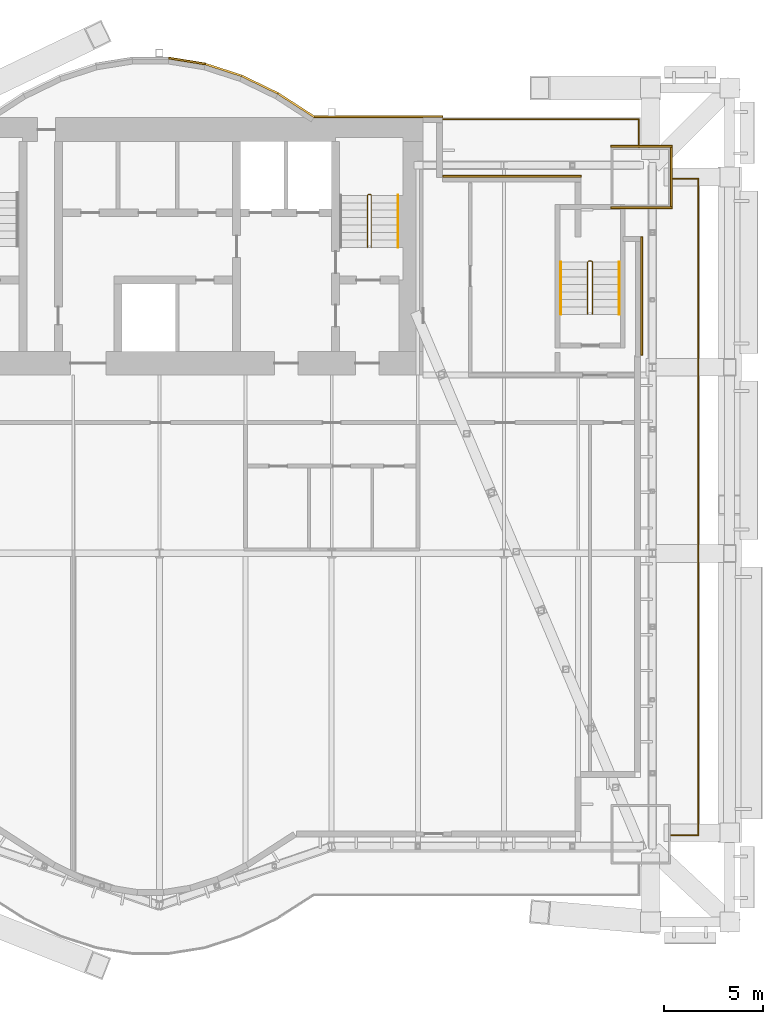
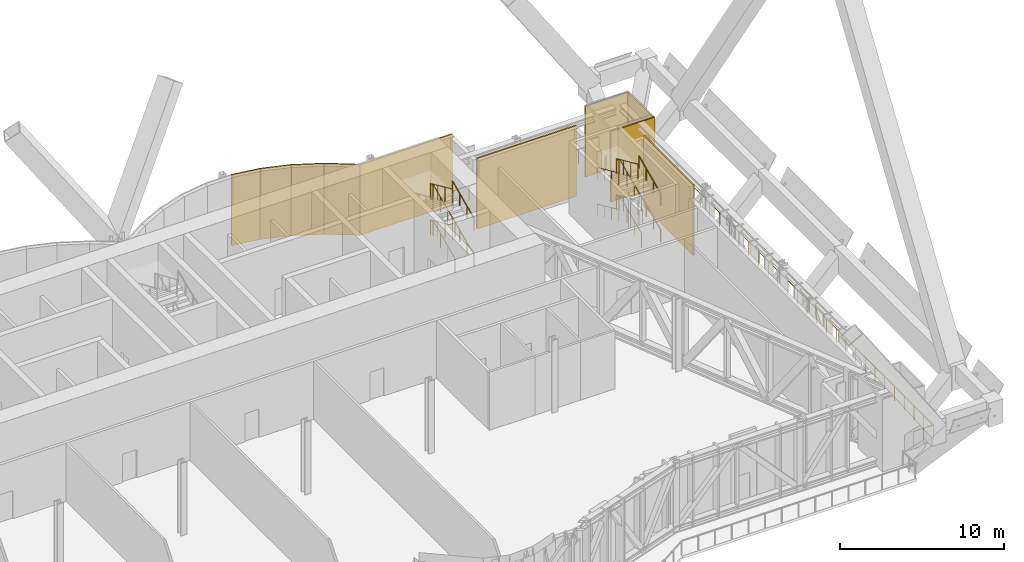
# One storey, part 32 of 32: 12 railings, 10 coverings.
"""IFC4 building model written with IfcOpenShell, lengths in metres."""

from ifc_helpers import new_model, si_unit, direction, frame, origin, origin_2d, place, context, subcontext, project, spatial, rectangle, circle, extrude, material, layer, layer_set, type_object, element, save


model = new_model("IFC4")

# Units and contexts
model_context = context("Model", 3, precision=1e-05, world=origin(), true_north=direction((0.0, 1.0)))
body_context = subcontext(model_context, "Body", "Model", "MODEL_VIEW")
ifc_project = project(units=[si_unit("LENGTHUNIT", "METRE"), si_unit("AREAUNIT", "SQUARE_METRE"), si_unit("VOLUMEUNIT", "CUBIC_METRE"), si_unit("PLANEANGLEUNIT", "RADIAN"), si_unit("MASSUNIT", "GRAM", prefix="KILO")], contexts=[model_context])

# Site, building, storey
site_placement = place(None, origin())
site = spatial("IfcSite", under=ifc_project, at=site_placement, CompositionType="ELEMENT")
building_placement = place(site_placement, origin())
building = spatial("IfcBuilding", under=site, at=building_placement, Name="Bicima Exchange Tower", CompositionType="ELEMENT")
storey_placement = place(building_placement, frame((0.0, 0.0, 84.5)))
storey = spatial("IfcBuildingStorey", under=building, at=storey_placement, Name="L17", CompositionType="ELEMENT", Elevation=84.5)

# Coverings
ifc_material_1 = material(Name="Bronze metal cladding")
ifc_layer_1 = layer(ifc_material_1, 0.004)
ifc_material_2 = material(Name="Ventilated cavity")
ifc_layer_2 = layer(ifc_material_2, 0.06)
ifc_material_3 = material(Name="Galvanised steel rail and mineral wool", Category="steel")
ifc_layer_3 = layer(ifc_material_3, 0.036)
ifc_layer_set = layer_set([ifc_layer_1, ifc_layer_2, ifc_layer_3], Name="Ventilated cavity")
covering_type = type_object("IfcCoveringType", Name="Bronze metal cladding panel 100", PredefinedType="CLADDING", material=ifc_layer_set)
covering_1_placement = place(storey_placement, frame((33.050048828125, -9.0, 0.0), z_axis=(0.0, 0.0, 1.0), x_axis=(0.0, 1.0, 0.0)))
element("IfcCovering", 1, at=covering_1_placement, inside=storey, type_object=covering_type, Name="Bronze cladding L17 2.1", PredefinedType="CLADDING", context=body_context, shape_type="SweptSolid", body=[
    extrude(rectangle(XDim=6.0, YDim=0.10009765625, at=origin_2d()), origin(), (0.0, 0.0, 1.0), 5.25),
])
covering_2_placement = place(storey_placement, frame((26.5, -2.949951171875, 0.0), z_axis=(0.0, 0.0, 1.0), x_axis=(-1.0, 0.0, 0.0)))
element("IfcCovering", 2, at=covering_2_placement, inside=storey, type_object=covering_type, Name="Bronze cladding L17 5.1", PredefinedType="CLADDING", context=body_context, shape_type="SweptSolid", body=[
    extrude(rectangle(XDim=7.0, YDim=0.10009765625, at=origin_2d()), origin(), (0.0, 0.0, 1.0), 5.25),
])
covering_3_placement = place(storey_placement, frame((19.75, 0.050048828125, 0.0), z_axis=(0.0, 0.0, 1.0), x_axis=(-1.0, 0.0, 0.0)))
element("IfcCovering", 3, at=covering_3_placement, inside=storey, type_object=covering_type, Name="Bronze cladding L17 7.1", PredefinedType="CLADDING", context=body_context, shape_type="SweptSolid", body=[
    extrude(rectangle(XDim=6.5, YDim=0.10009765625, at=origin_2d()), origin(), (0.0, 0.0, 1.0), 5.25),
])
covering_4_placement = place(storey_placement, frame((15.610595703125, 0.634521484375, 0.0), z_axis=(0.0, 0.0, 1.0), x_axis=(-0.839790466384, 0.542910648791, 0.0)))
element("IfcCovering", 4, at=covering_4_placement, inside=storey, type_object=covering_type, Name="Bronze cladding L17 8.1", PredefinedType="CLADDING", context=body_context, shape_type="SweptSolid", body=[
    extrude(rectangle(XDim=2.18310546875, YDim=0.10009765625, at=origin_2d()), origin(), (0.0, 0.0, 1.0), 5.25),
])
covering_5_placement = place(storey_placement, frame((13.771728515625, 1.674560546875, 0.0), z_axis=(0.0, 0.0, 1.0), x_axis=(-0.899818346812, 0.436264762204, 0.0)))
element("IfcCovering", 5, at=covering_5_placement, inside=storey, type_object=covering_type, Name="Bronze cladding L17 9.1", PredefinedType="CLADDING", context=body_context, shape_type="SweptSolid", body=[
    extrude(rectangle(XDim=2.03759765625, YDim=0.10009765625, at=origin_2d()), origin(), (0.0, 0.0, 1.0), 5.25),
])
covering_6_placement = place(storey_placement, frame((11.931884765625, 2.41796875, 0.0), z_axis=(0.0, 0.0, 1.0), x_axis=(-0.951524642381, 0.307572519808, 0.0)))
element("IfcCovering", 6, at=covering_6_placement, inside=storey, type_object=covering_type, Name="Bronze cladding L17 10.1", PredefinedType="CLADDING", context=body_context, shape_type="SweptSolid", body=[
    extrude(rectangle(XDim=1.9267578125, YDim=0.10009765625, at=origin_2d()), origin(), (0.0, 0.0, 1.0), 5.25),
])
covering_7_placement = place(storey_placement, frame((10.09130859375, 2.8642578125, 0.0), z_axis=(0.0, 0.0, 1.0), x_axis=(-0.987189786347, 0.159550386184, 0.0)))
element("IfcCovering", 7, at=covering_7_placement, inside=storey, type_object=covering_type, Name="Bronze cladding L17 11.1", PredefinedType="CLADDING", context=body_context, shape_type="SweptSolid", body=[
    extrude(rectangle(XDim=1.857177734375, YDim=0.10009765625, at=origin_2d()), origin(), (0.0, 0.0, 1.0), 5.25),
])
for number, where, z_axis, x_axis, name in (
    (8, (33.050048828125, -1.449951171875, 0.0), (0.0, 0.0, 1.0), (1.0, 0.0, 0.0), "Column cladding L17 2N"),
    (9, (33.050048828125, -4.550048828125, 0.0), (0.0, 0.0, 1.0), (1.0, 0.0, 0.0), "Column cladding L17 2S"),
):
    element("IfcCovering", number, at=place(storey_placement, frame(where, z_axis=z_axis, x_axis=x_axis)), inside=storey, type_object=covering_type, Name=name, PredefinedType="CLADDING", context=body_context, shape_type="SweptSolid", body=[
        extrude(rectangle(XDim=3.10009765625, YDim=0.10009765625, at=origin_2d()), origin(), (0.0, 0.0, 1.0), 5.25),
    ])
covering_8_placement = place(storey_placement, frame((34.550048828125, -3.0, 0.0), z_axis=(0.0, 0.0, 1.0), x_axis=(1.0, 0.0, 0.0)))
element("IfcCovering", 10, at=covering_8_placement, inside=storey, type_object=covering_type, Name="Column cladding L17 2O", PredefinedType="CLADDING", context=body_context, shape_type="SweptSolid", body=[
    extrude(rectangle(XDim=0.10009765625, YDim=3.0, at=origin_2d()), origin(), (0.0, 0.0, 1.0), 5.25),
])

# Railings
ifc_material_4 = material(Name="Stainless steel", Category="steel")
railing_type_1 = type_object("IfcRailingType", Name="Stair guard 1100", PredefinedType="GUARDRAIL", material=ifc_material_4)
railing_1_placement = place(storey_placement, frame((19.39990234375, -6.550048828125, 0.168701171875)))
element("IfcRailing", 11, at=railing_1_placement, inside=storey, type_object=railing_type_1, Name="L17 ST-E stair guard 1", PredefinedType="GUARDRAIL", context=body_context, shape_type="SweptSolid", body=[
    extrude(circle(Radius=0.02392578125, at=origin_2d()), frame((0.0, 0.0, 1.076171875), z_axis=(0.0, 0.912201722539, 0.409741403079), x_axis=(-1.0, 0.0, 0.0)), (0.0, 0.0, 1.0), 2.88330078125),
    extrude(circle(Radius=0.02392578125, at=origin_2d()), frame((0.0, 2.630126953125, 2.25732421875), z_axis=(-0.707106781187, 0.707106781187, 0.0), x_axis=(-0.707106781187, -0.707106781187, 0.0)), (0.0, 0.0, 1.0), 0.0703125),
    extrude(circle(Radius=0.02392578125, at=origin_2d()), frame((-0.0498046875, 2.679931640625, 2.25732421875), z_axis=(-1.0, 0.0, 0.0), x_axis=(0.0, -1.0, 0.0)), (0.0, 0.0, 1.0), 0.10009765625),
    extrude(circle(Radius=0.02392578125, at=origin_2d()), frame((-0.14990234375, 2.679931640625, 2.25732421875), z_axis=(-0.273668752699, -0.272333783174, 0.922463942026), x_axis=(0.705375805398, -0.708833529934, 0.0)), (0.0, 0.0, 1.0), 0.182861328125),
    extrude(circle(Radius=0.02392578125, at=origin_2d()), frame((-0.199951171875, 2.630126953125, 2.42626953125), z_axis=(0.0, -0.912233369549, 0.409670940488), x_axis=(1.0, 0.0, 0.0)), (0.0, 0.0, 1.0), 2.883056640625),
    extrude(circle(Radius=0.02099609375, at=origin_2d()), origin(), (0.0, 0.0, 1.0), 1.052001953125),
    extrude(circle(Radius=0.02099609375, at=origin_2d()), frame((0.0, 0.876708984375, 0.393798828125)), (0.0, 0.0, 1.0), 1.052001953125),
    extrude(circle(Radius=0.02099609375, at=origin_2d()), frame((0.0, 1.75341796875, 0.78759765625)), (0.0, 0.0, 1.0), 1.052001953125),
    extrude(circle(Radius=0.02099609375, at=origin_2d()), frame((0.0, 2.630126953125, 1.181396484375)), (0.0, 0.0, 1.0), 1.052001953125),
    extrude(circle(Radius=0.02099609375, at=origin_2d()), frame((-0.0498046875, 2.679931640625, 1.181396484375)), (0.0, 0.0, 1.0), 1.052001953125),
    extrude(circle(Radius=0.02099609375, at=origin_2d()), frame((-0.14990234375, 2.679931640625, 1.181396484375)), (0.0, 0.0, 1.0), 1.052001953125),
    extrude(circle(Radius=0.02099609375, at=origin_2d()), frame((-0.199951171875, 2.630126953125, 1.35009765625)), (0.0, 0.0, 1.0), 1.052001953125),
    extrude(circle(Radius=0.02099609375, at=origin_2d()), frame((-0.199951171875, 1.75341796875, 1.743896484375)), (0.0, 0.0, 1.0), 1.052001953125),
    extrude(circle(Radius=0.02099609375, at=origin_2d()), frame((-0.199951171875, 0.876708984375, 2.137451171875)), (0.0, 0.0, 1.0), 1.052001953125),
    extrude(circle(Radius=0.02099609375, at=origin_2d()), frame((-0.199951171875, 0.0, 2.53125)), (0.0, 0.0, 1.0), 1.052001953125),
])
railing_2_placement = place(storey_placement, frame((19.39990234375, -6.550048828125, 2.86865234375)))
element("IfcRailing", 12, at=railing_2_placement, inside=storey, type_object=railing_type_1, Name="L17 ST-E stair guard 2", PredefinedType="GUARDRAIL", context=body_context, shape_type="SweptSolid", body=[
    extrude(circle(Radius=0.02392578125, at=origin_2d()), frame((0.0, 0.0, 1.076171875), z_axis=(0.0, 0.912201722539, 0.409741403079), x_axis=(-1.0, 0.0, 0.0)), (0.0, 0.0, 1.0), 2.88330078125),
    extrude(circle(Radius=0.02392578125, at=origin_2d()), frame((0.0, 2.630126953125, 2.25732421875), z_axis=(-0.707106781187, 0.707106781187, 0.0), x_axis=(-0.707106781187, -0.707106781187, 0.0)), (0.0, 0.0, 1.0), 0.0703125),
    extrude(circle(Radius=0.02392578125, at=origin_2d()), frame((-0.0498046875, 2.679931640625, 2.25732421875), z_axis=(-1.0, 0.0, 0.0), x_axis=(0.0, -1.0, 0.0)), (0.0, 0.0, 1.0), 0.10009765625),
    extrude(circle(Radius=0.02392578125, at=origin_2d()), frame((-0.14990234375, 2.679931640625, 2.25732421875), z_axis=(-0.273668752699, -0.272333783174, 0.922463942026), x_axis=(0.705375805398, -0.708833529934, 0.0)), (0.0, 0.0, 1.0), 0.182861328125),
    extrude(circle(Radius=0.02392578125, at=origin_2d()), frame((-0.199951171875, 2.630126953125, 2.42626953125), z_axis=(0.0, -0.912233369549, 0.409670940488), x_axis=(1.0, 0.0, 0.0)), (0.0, 0.0, 1.0), 2.883056640625),
    extrude(circle(Radius=0.02099609375, at=origin_2d()), origin(), (0.0, 0.0, 1.0), 1.052001953125),
    extrude(circle(Radius=0.02099609375, at=origin_2d()), frame((0.0, 0.876708984375, 0.393798828125)), (0.0, 0.0, 1.0), 1.052001953125),
    extrude(circle(Radius=0.02099609375, at=origin_2d()), frame((0.0, 1.75341796875, 0.78759765625)), (0.0, 0.0, 1.0), 1.052001953125),
    extrude(circle(Radius=0.02099609375, at=origin_2d()), frame((0.0, 2.630126953125, 1.181396484375)), (0.0, 0.0, 1.0), 1.052001953125),
    extrude(circle(Radius=0.02099609375, at=origin_2d()), frame((-0.0498046875, 2.679931640625, 1.181396484375)), (0.0, 0.0, 1.0), 1.052001953125),
    extrude(circle(Radius=0.02099609375, at=origin_2d()), frame((-0.14990234375, 2.679931640625, 1.181396484375)), (0.0, 0.0, 1.0), 1.052001953125),
    extrude(circle(Radius=0.02099609375, at=origin_2d()), frame((-0.199951171875, 2.630126953125, 1.35009765625)), (0.0, 0.0, 1.0), 1.052001953125),
    extrude(circle(Radius=0.02099609375, at=origin_2d()), frame((-0.199951171875, 1.75341796875, 1.743896484375)), (0.0, 0.0, 1.0), 1.052001953125),
    extrude(circle(Radius=0.02099609375, at=origin_2d()), frame((-0.199951171875, 0.876708984375, 2.137451171875)), (0.0, 0.0, 1.0), 1.052001953125),
    extrude(circle(Radius=0.02099609375, at=origin_2d()), frame((-0.199951171875, 0.0, 2.53125)), (0.0, 0.0, 1.0), 1.052001953125),
])
railing_3_placement = place(storey_placement, frame((30.574951171875, -9.925048828125, 0.168701171875)))
element("IfcRailing", 13, at=railing_3_placement, inside=storey, type_object=railing_type_1, Name="L17 ST-EE stair guard 1", PredefinedType="GUARDRAIL", context=body_context, shape_type="SweptSolid", body=[
    extrude(circle(Radius=0.02392578125, at=origin_2d()), frame((0.0, 0.0, 1.076171875), z_axis=(0.0, 0.912201722539, 0.409741403079), x_axis=(-1.0, 0.0, 0.0)), (0.0, 0.0, 1.0), 2.88330078125),
    extrude(circle(Radius=0.02392578125, at=origin_2d()), frame((0.0, 2.630126953125, 2.25732421875), z_axis=(-0.708833529934, 0.705375805398, 0.0), x_axis=(-0.705375805398, -0.708833529934, 0.0)), (0.0, 0.0, 1.0), 0.070556640625),
    extrude(circle(Radius=0.02392578125, at=origin_2d()), frame((-0.050048828125, 2.679931640625, 2.25732421875), z_axis=(-1.0, 0.0, 0.0), x_axis=(0.0, -1.0, 0.0)), (0.0, 0.0, 1.0), 0.14990234375),
    extrude(circle(Radius=0.02392578125, at=origin_2d()), frame((-0.199951171875, 2.679931640625, 2.25732421875), z_axis=(-0.273668752699, -0.272333783174, 0.922463942026), x_axis=(0.705375805398, -0.708833529934, 0.0)), (0.0, 0.0, 1.0), 0.182861328125),
    extrude(circle(Radius=0.02392578125, at=origin_2d()), frame((-0.25, 2.630126953125, 2.42626953125), z_axis=(0.0, -0.912233369549, 0.409670940488), x_axis=(1.0, 0.0, 0.0)), (0.0, 0.0, 1.0), 2.883056640625),
    extrude(circle(Radius=0.02099609375, at=origin_2d()), origin(), (0.0, 0.0, 1.0), 1.052001953125),
    extrude(circle(Radius=0.02099609375, at=origin_2d()), frame((0.0, 0.876708984375, 0.393798828125)), (0.0, 0.0, 1.0), 1.052001953125),
    extrude(circle(Radius=0.02099609375, at=origin_2d()), frame((0.0, 1.75341796875, 0.78759765625)), (0.0, 0.0, 1.0), 1.052001953125),
    extrude(circle(Radius=0.02099609375, at=origin_2d()), frame((0.0, 2.630126953125, 1.181396484375)), (0.0, 0.0, 1.0), 1.052001953125),
    extrude(circle(Radius=0.02099609375, at=origin_2d()), frame((-0.050048828125, 2.679931640625, 1.181396484375)), (0.0, 0.0, 1.0), 1.052001953125),
    extrude(circle(Radius=0.02099609375, at=origin_2d()), frame((-0.199951171875, 2.679931640625, 1.181396484375)), (0.0, 0.0, 1.0), 1.052001953125),
    extrude(circle(Radius=0.02099609375, at=origin_2d()), frame((-0.25, 2.630126953125, 1.35009765625)), (0.0, 0.0, 1.0), 1.052001953125),
    extrude(circle(Radius=0.02099609375, at=origin_2d()), frame((-0.25, 1.75341796875, 1.743896484375)), (0.0, 0.0, 1.0), 1.052001953125),
    extrude(circle(Radius=0.02099609375, at=origin_2d()), frame((-0.25, 0.876708984375, 2.137451171875)), (0.0, 0.0, 1.0), 1.052001953125),
    extrude(circle(Radius=0.02099609375, at=origin_2d()), frame((-0.25, 0.0, 2.53125)), (0.0, 0.0, 1.0), 1.052001953125),
])
railing_4_placement = place(storey_placement, frame((30.574951171875, -9.925048828125, 2.86865234375)))
element("IfcRailing", 14, at=railing_4_placement, inside=storey, type_object=railing_type_1, Name="L17 ST-EE stair guard 2", PredefinedType="GUARDRAIL", context=body_context, shape_type="SweptSolid", body=[
    extrude(circle(Radius=0.02392578125, at=origin_2d()), frame((0.0, 0.0, 1.076171875), z_axis=(0.0, 0.912201722539, 0.409741403079), x_axis=(-1.0, 0.0, 0.0)), (0.0, 0.0, 1.0), 2.88330078125),
    extrude(circle(Radius=0.02392578125, at=origin_2d()), frame((0.0, 2.630126953125, 2.25732421875), z_axis=(-0.708833529934, 0.705375805398, 0.0), x_axis=(-0.705375805398, -0.708833529934, 0.0)), (0.0, 0.0, 1.0), 0.070556640625),
    extrude(circle(Radius=0.02392578125, at=origin_2d()), frame((-0.050048828125, 2.679931640625, 2.25732421875), z_axis=(-1.0, 0.0, 0.0), x_axis=(0.0, -1.0, 0.0)), (0.0, 0.0, 1.0), 0.14990234375),
    extrude(circle(Radius=0.02392578125, at=origin_2d()), frame((-0.199951171875, 2.679931640625, 2.25732421875), z_axis=(-0.273668752699, -0.272333783174, 0.922463942026), x_axis=(0.705375805398, -0.708833529934, 0.0)), (0.0, 0.0, 1.0), 0.182861328125),
    extrude(circle(Radius=0.02392578125, at=origin_2d()), frame((-0.25, 2.630126953125, 2.42626953125), z_axis=(0.0, -0.912233369549, 0.409670940488), x_axis=(1.0, 0.0, 0.0)), (0.0, 0.0, 1.0), 2.883056640625),
    extrude(circle(Radius=0.02099609375, at=origin_2d()), origin(), (0.0, 0.0, 1.0), 1.052001953125),
    extrude(circle(Radius=0.02099609375, at=origin_2d()), frame((0.0, 0.876708984375, 0.393798828125)), (0.0, 0.0, 1.0), 1.052001953125),
    extrude(circle(Radius=0.02099609375, at=origin_2d()), frame((0.0, 1.75341796875, 0.78759765625)), (0.0, 0.0, 1.0), 1.052001953125),
    extrude(circle(Radius=0.02099609375, at=origin_2d()), frame((0.0, 2.630126953125, 1.181396484375)), (0.0, 0.0, 1.0), 1.052001953125),
    extrude(circle(Radius=0.02099609375, at=origin_2d()), frame((-0.050048828125, 2.679931640625, 1.181396484375)), (0.0, 0.0, 1.0), 1.052001953125),
    extrude(circle(Radius=0.02099609375, at=origin_2d()), frame((-0.199951171875, 2.679931640625, 1.181396484375)), (0.0, 0.0, 1.0), 1.052001953125),
    extrude(circle(Radius=0.02099609375, at=origin_2d()), frame((-0.25, 2.630126953125, 1.35009765625)), (0.0, 0.0, 1.0), 1.052001953125),
    extrude(circle(Radius=0.02099609375, at=origin_2d()), frame((-0.25, 1.75341796875, 1.743896484375)), (0.0, 0.0, 1.0), 1.052001953125),
    extrude(circle(Radius=0.02099609375, at=origin_2d()), frame((-0.25, 0.876708984375, 2.137451171875)), (0.0, 0.0, 1.0), 1.052001953125),
    extrude(circle(Radius=0.02099609375, at=origin_2d()), frame((-0.25, 0.0, 2.53125)), (0.0, 0.0, 1.0), 1.052001953125),
])
railing_type_2 = type_object("IfcRailingType", Name="Stair handrail 900", PredefinedType="HANDRAIL", material=ifc_material_4)
for number, where, name in (
    (15, (20.75, -6.550048828125, 0.168701171875), "L17 ST-E stair handrail 1"),
    (16, (20.75, -6.550048828125, 2.86865234375), "L17 ST-E stair handrail 3"),
    (17, (31.925048828125, -9.925048828125, 0.168701171875), "L17 ST-EE stair handrail 1"),
):
    element("IfcRailing", number, at=place(storey_placement, frame(where)), inside=storey, type_object=railing_type_2, Name=name, PredefinedType="HANDRAIL", context=body_context, shape_type="SweptSolid", body=[
        extrude(circle(Radius=0.02392578125, at=origin_2d()), frame((0.0, 0.0, 0.8759765625), z_axis=(0.0, 0.912201722539, 0.409741403079), x_axis=(-1.0, 0.0, 0.0)), (0.0, 0.0, 1.0), 2.88330078125),
        extrude(circle(Radius=0.02099609375, at=origin_2d()), origin(), (0.0, 0.0, 1.0), 0.851806640625),
        extrude(circle(Radius=0.02099609375, at=origin_2d()), frame((0.0, 0.876708984375, 0.393798828125)), (0.0, 0.0, 1.0), 0.851806640625),
        extrude(circle(Radius=0.02099609375, at=origin_2d()), frame((0.0, 1.75341796875, 0.78759765625)), (0.0, 0.0, 1.0), 0.851806640625),
        extrude(circle(Radius=0.02099609375, at=origin_2d()), frame((0.0, 2.630126953125, 1.181396484375)), (0.0, 0.0, 1.0), 0.851806640625),
    ])
railing_5_placement = place(storey_placement, frame((28.97509765625, -7.294921875, 1.518798828125)))
element("IfcRailing", 18, at=railing_5_placement, inside=storey, type_object=railing_type_2, Name="L17 ST-EE stair handrail 2", PredefinedType="HANDRAIL", context=body_context, shape_type="SweptSolid", body=[
    extrude(circle(Radius=0.02392578125, at=origin_2d()), frame((0.0, 0.0, 0.8759765625), z_axis=(0.0, -0.912233369549, 0.409670940488), x_axis=(1.0, 0.0, 0.0)), (0.0, 0.0, 1.0), 2.883056640625),
    extrude(circle(Radius=0.02099609375, at=origin_2d()), origin(), (0.0, 0.0, 1.0), 0.851806640625),
    extrude(circle(Radius=0.02099609375, at=origin_2d()), frame((0.0, -0.876708984375, 0.393798828125)), (0.0, 0.0, 1.0), 0.851806640625),
    extrude(circle(Radius=0.02099609375, at=origin_2d()), frame((0.0, -1.75341796875, 0.787353515625)), (0.0, 0.0, 1.0), 0.851806640625),
    extrude(circle(Radius=0.02099609375, at=origin_2d()), frame((0.0, -2.630126953125, 1.18115234375)), (0.0, 0.0, 1.0), 0.851806640625),
])
railing_6_placement = place(storey_placement, frame((31.925048828125, -9.925048828125, 2.86865234375)))
element("IfcRailing", 19, at=railing_6_placement, inside=storey, type_object=railing_type_2, Name="L17 ST-EE stair handrail 3", PredefinedType="HANDRAIL", context=body_context, shape_type="SweptSolid", body=[
    extrude(circle(Radius=0.02392578125, at=origin_2d()), frame((0.0, 0.0, 0.8759765625), z_axis=(0.0, 0.912201722539, 0.409741403079), x_axis=(-1.0, 0.0, 0.0)), (0.0, 0.0, 1.0), 2.88330078125),
    extrude(circle(Radius=0.02099609375, at=origin_2d()), origin(), (0.0, 0.0, 1.0), 0.851806640625),
    extrude(circle(Radius=0.02099609375, at=origin_2d()), frame((0.0, 0.876708984375, 0.393798828125)), (0.0, 0.0, 1.0), 0.851806640625),
    extrude(circle(Radius=0.02099609375, at=origin_2d()), frame((0.0, 1.75341796875, 0.78759765625)), (0.0, 0.0, 1.0), 0.851806640625),
    extrude(circle(Radius=0.02099609375, at=origin_2d()), frame((0.0, 2.630126953125, 1.181396484375)), (0.0, 0.0, 1.0), 0.851806640625),
])
railing_7_placement = place(storey_placement, frame((28.97509765625, -7.294921875, 4.241455078125)))
element("IfcRailing", 20, at=railing_7_placement, inside=storey, type_object=railing_type_2, Name="L17 ST-EE stair handrail 4", PredefinedType="HANDRAIL", context=body_context, shape_type="SweptSolid", body=[
    extrude(circle(Radius=0.02392578125, at=origin_2d()), frame((0.0, 0.0, 0.8759765625), z_axis=(0.0, -0.912201722539, 0.409741403079), x_axis=(1.0, 0.0, 0.0)), (0.0, 0.0, 1.0), 2.88330078125),
    extrude(circle(Radius=0.02099609375, at=origin_2d()), origin(), (0.0, 0.0, 1.0), 0.851806640625),
    extrude(circle(Radius=0.02099609375, at=origin_2d()), frame((0.0, -0.876708984375, 0.393798828125)), (0.0, 0.0, 1.0), 0.851806640625),
    extrude(circle(Radius=0.02099609375, at=origin_2d()), frame((0.0, -1.75341796875, 0.78759765625)), (0.0, 0.0, 1.0), 0.851806640625),
    extrude(circle(Radius=0.02099609375, at=origin_2d()), frame((0.0, -2.630126953125, 1.181396484375)), (0.0, 0.0, 1.0), 0.851806640625),
])
ifc_material_5 = material(Name="Stainless steel and bonded safety glass", Category="steel")
railing_type_3 = type_object("IfcRailingType", Name="Terrace guard 1100", PredefinedType="GUARDRAIL", material=ifc_material_5)
railing_8_placement = place(storey_placement, frame((23.02001953125, -0.080078125, 0.0)))
element("IfcRailing", 21, at=railing_8_placement, inside=storey, type_object=railing_type_3, Name="Terrace guard L17 3", PredefinedType="GUARDRAIL", context=body_context, shape_type="SweptSolid", body=[
    extrude(circle(Radius=0.02392578125, at=origin_2d()), frame((0.0, 0.0, 1.076171875), z_axis=(1.0, 0.0, 0.0), x_axis=(0.0, 1.0, 0.0)), (0.0, 0.0, 1.0), 9.89990234375),
    extrude(circle(Radius=0.02392578125, at=origin_2d()), frame((9.89990234375, 0.0, 1.076171875), z_axis=(0.0, -1.0, 0.0), x_axis=(1.0, 0.0, 0.0)), (0.0, 0.0, 1.0), 1.419921875),
    extrude(circle(Radius=0.02099609375, at=origin_2d()), origin(), (0.0, 0.0, 1.0), 1.052001953125),
    extrude(circle(Radius=0.02099609375, at=origin_2d()), frame((1.10009765625, 0.0, 0.0)), (0.0, 0.0, 1.0), 1.052001953125),
    extrude(circle(Radius=0.02099609375, at=origin_2d()), frame((2.199951171875, 0.0, 0.0)), (0.0, 0.0, 1.0), 1.052001953125),
    extrude(circle(Radius=0.02099609375, at=origin_2d()), frame((3.300048828125, 0.0, 0.0)), (0.0, 0.0, 1.0), 1.052001953125),
    extrude(circle(Radius=0.02099609375, at=origin_2d()), frame((4.39990234375, 0.0, 0.0)), (0.0, 0.0, 1.0), 1.052001953125),
    extrude(circle(Radius=0.02099609375, at=origin_2d()), frame((5.5, 0.0, 0.0)), (0.0, 0.0, 1.0), 1.052001953125),
    extrude(circle(Radius=0.02099609375, at=origin_2d()), frame((6.599853515625, 0.0, 0.0)), (0.0, 0.0, 1.0), 1.052001953125),
    extrude(circle(Radius=0.02099609375, at=origin_2d()), frame((7.699951171875, 0.0, 0.0)), (0.0, 0.0, 1.0), 1.052001953125),
    extrude(circle(Radius=0.02099609375, at=origin_2d()), frame((8.7998046875, 0.0, 0.0)), (0.0, 0.0, 1.0), 1.052001953125),
    extrude(circle(Radius=0.02099609375, at=origin_2d()), frame((9.89990234375, 0.0, 0.0)), (0.0, 0.0, 1.0), 1.052001953125),
    extrude(circle(Radius=0.02099609375, at=origin_2d()), frame((9.89990234375, -0.7099609375, 0.0)), (0.0, 0.0, 1.0), 1.052001953125),
    extrude(circle(Radius=0.02099609375, at=origin_2d()), frame((9.89990234375, -1.419921875, 0.0)), (0.0, 0.0, 1.0), 1.052001953125),
])
railing_9_placement = place(storey_placement, frame((34.5, -3.080078125, 0.0)))
element("IfcRailing", 22, at=railing_9_placement, inside=storey, type_object=railing_type_3, Name="Terrace guard L17 4", PredefinedType="GUARDRAIL", context=body_context, shape_type="SweptSolid", body=[
    extrude(circle(Radius=0.02392578125, at=origin_2d()), frame((0.0, 0.0, 1.076171875), z_axis=(1.0, 0.0, 0.0), x_axis=(0.0, 1.0, 0.0)), (0.0, 0.0, 1.0), 1.419921875),
    extrude(circle(Radius=0.02392578125, at=origin_2d()), frame((1.419921875, 0.0, 1.076171875), z_axis=(0.0, -1.0, 0.0), x_axis=(1.0, 0.0, 0.0)), (0.0, 0.0, 1.0), 33.156005859375),
    extrude(circle(Radius=0.02392578125, at=origin_2d()), frame((1.419921875, -33.156005859375, 1.076171875), z_axis=(-1.0, 0.0, 0.0), x_axis=(0.0, -1.0, 0.0)), (0.0, 0.0, 1.0), 1.419921875),
    extrude(circle(Radius=0.02099609375, at=origin_2d()), origin(), (0.0, 0.0, 1.0), 1.052001953125),
    extrude(circle(Radius=0.02099609375, at=origin_2d()), frame((0.7099609375, 0.0, 0.0)), (0.0, 0.0, 1.0), 1.052001953125),
    extrude(circle(Radius=0.02099609375, at=origin_2d()), frame((1.419921875, 0.0, 0.0)), (0.0, 0.0, 1.0), 1.052001953125),
    extrude(circle(Radius=0.02099609375, at=origin_2d()), frame((1.419921875, -1.18408203125, 0.0)), (0.0, 0.0, 1.0), 1.052001953125),
    extrude(circle(Radius=0.02099609375, at=origin_2d()), frame((1.419921875, -2.3681640625, 0.0)), (0.0, 0.0, 1.0), 1.052001953125),
    extrude(circle(Radius=0.02099609375, at=origin_2d()), frame((1.419921875, -3.552490234375, 0.0)), (0.0, 0.0, 1.0), 1.052001953125),
    extrude(circle(Radius=0.02099609375, at=origin_2d()), frame((1.419921875, -4.736572265625, 0.0)), (0.0, 0.0, 1.0), 1.052001953125),
    extrude(circle(Radius=0.02099609375, at=origin_2d()), frame((1.419921875, -5.920654296875, 0.0)), (0.0, 0.0, 1.0), 1.052001953125),
    extrude(circle(Radius=0.02099609375, at=origin_2d()), frame((1.419921875, -7.10498046875, 0.0)), (0.0, 0.0, 1.0), 1.052001953125),
    extrude(circle(Radius=0.02099609375, at=origin_2d()), frame((1.419921875, -8.2890625, 0.0)), (0.0, 0.0, 1.0), 1.052001953125),
    extrude(circle(Radius=0.02099609375, at=origin_2d()), frame((1.419921875, -9.47314453125, 0.0)), (0.0, 0.0, 1.0), 1.052001953125),
    extrude(circle(Radius=0.02099609375, at=origin_2d()), frame((1.419921875, -10.6572265625, 0.0)), (0.0, 0.0, 1.0), 1.052001953125),
    extrude(circle(Radius=0.02099609375, at=origin_2d()), frame((1.419921875, -11.84130859375, 0.0)), (0.0, 0.0, 1.0), 1.052001953125),
    extrude(circle(Radius=0.02099609375, at=origin_2d()), frame((1.419921875, -13.025634765625, 0.0)), (0.0, 0.0, 1.0), 1.052001953125),
    extrude(circle(Radius=0.02099609375, at=origin_2d()), frame((1.419921875, -14.209716796875, 0.0)), (0.0, 0.0, 1.0), 1.052001953125),
    extrude(circle(Radius=0.02099609375, at=origin_2d()), frame((1.419921875, -15.393798828125, 0.0)), (0.0, 0.0, 1.0), 1.052001953125),
    extrude(circle(Radius=0.02099609375, at=origin_2d()), frame((1.419921875, -16.578125, 0.0)), (0.0, 0.0, 1.0), 1.052001953125),
    extrude(circle(Radius=0.02099609375, at=origin_2d()), frame((1.419921875, -17.76220703125, 0.0)), (0.0, 0.0, 1.0), 1.052001953125),
    extrude(circle(Radius=0.02099609375, at=origin_2d()), frame((1.419921875, -18.9462890625, 0.0)), (0.0, 0.0, 1.0), 1.052001953125),
    extrude(circle(Radius=0.02099609375, at=origin_2d()), frame((1.419921875, -20.13037109375, 0.0)), (0.0, 0.0, 1.0), 1.052001953125),
    extrude(circle(Radius=0.02099609375, at=origin_2d()), frame((1.419921875, -21.314453125, 0.0)), (0.0, 0.0, 1.0), 1.052001953125),
    extrude(circle(Radius=0.02099609375, at=origin_2d()), frame((1.419921875, -22.498779296875, 0.0)), (0.0, 0.0, 1.0), 1.052001953125),
    extrude(circle(Radius=0.02099609375, at=origin_2d()), frame((1.419921875, -23.682861328125, 0.0)), (0.0, 0.0, 1.0), 1.052001953125),
    extrude(circle(Radius=0.02099609375, at=origin_2d()), frame((1.419921875, -24.866943359375, 0.0)), (0.0, 0.0, 1.0), 1.052001953125),
    extrude(circle(Radius=0.02099609375, at=origin_2d()), frame((1.419921875, -26.05126953125, 0.0)), (0.0, 0.0, 1.0), 1.052001953125),
    extrude(circle(Radius=0.02099609375, at=origin_2d()), frame((1.419921875, -27.2353515625, 0.0)), (0.0, 0.0, 1.0), 1.052001953125),
    extrude(circle(Radius=0.02099609375, at=origin_2d()), frame((1.419921875, -28.41943359375, 0.0)), (0.0, 0.0, 1.0), 1.052001953125),
    extrude(circle(Radius=0.02099609375, at=origin_2d()), frame((1.419921875, -29.603515625, 0.0)), (0.0, 0.0, 1.0), 1.052001953125),
    extrude(circle(Radius=0.02099609375, at=origin_2d()), frame((1.419921875, -30.78759765625, 0.0)), (0.0, 0.0, 1.0), 1.052001953125),
    extrude(circle(Radius=0.02099609375, at=origin_2d()), frame((1.419921875, -31.971923828125, 0.0)), (0.0, 0.0, 1.0), 1.052001953125),
    extrude(circle(Radius=0.02099609375, at=origin_2d()), frame((1.419921875, -33.156005859375, 0.0)), (0.0, 0.0, 1.0), 1.052001953125),
    extrude(circle(Radius=0.02099609375, at=origin_2d()), frame((0.7099609375, -33.156005859375, 0.0)), (0.0, 0.0, 1.0), 1.052001953125),
    extrude(circle(Radius=0.02099609375, at=origin_2d()), frame((0.0, -33.156005859375, 0.0)), (0.0, 0.0, 1.0), 1.052001953125),
])

save(model, "model.ifc")
